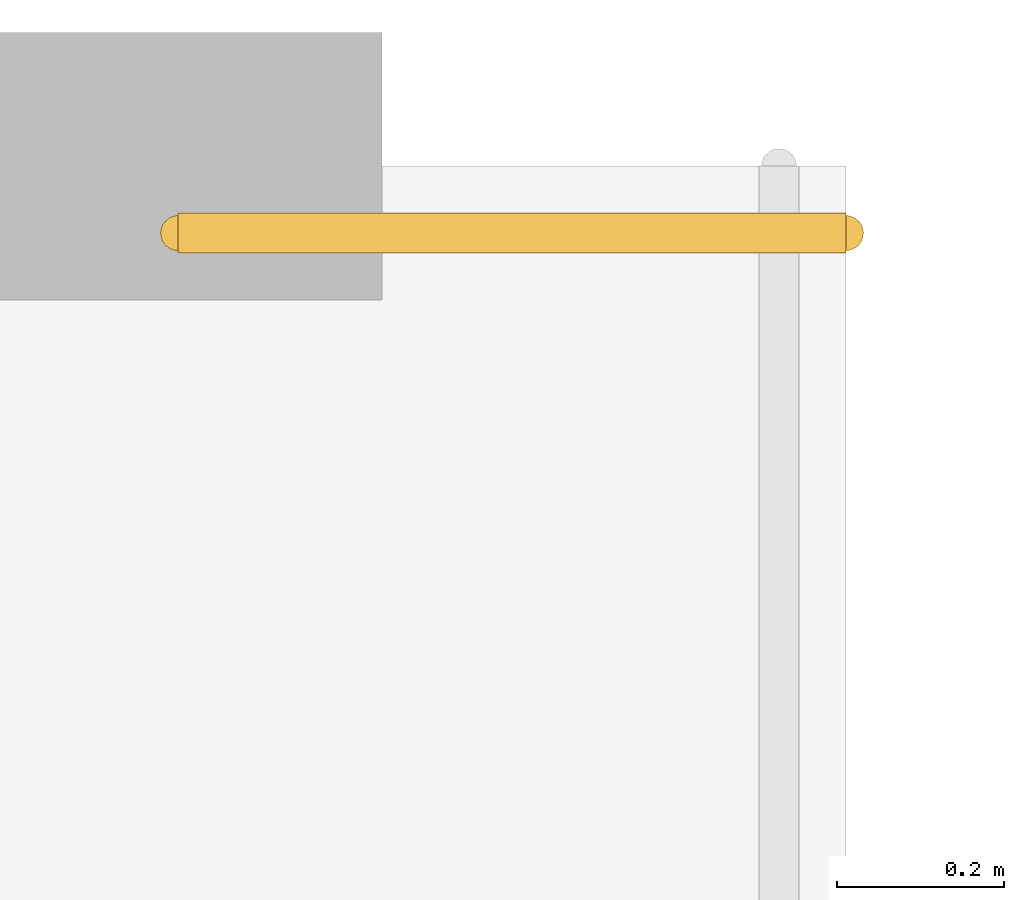
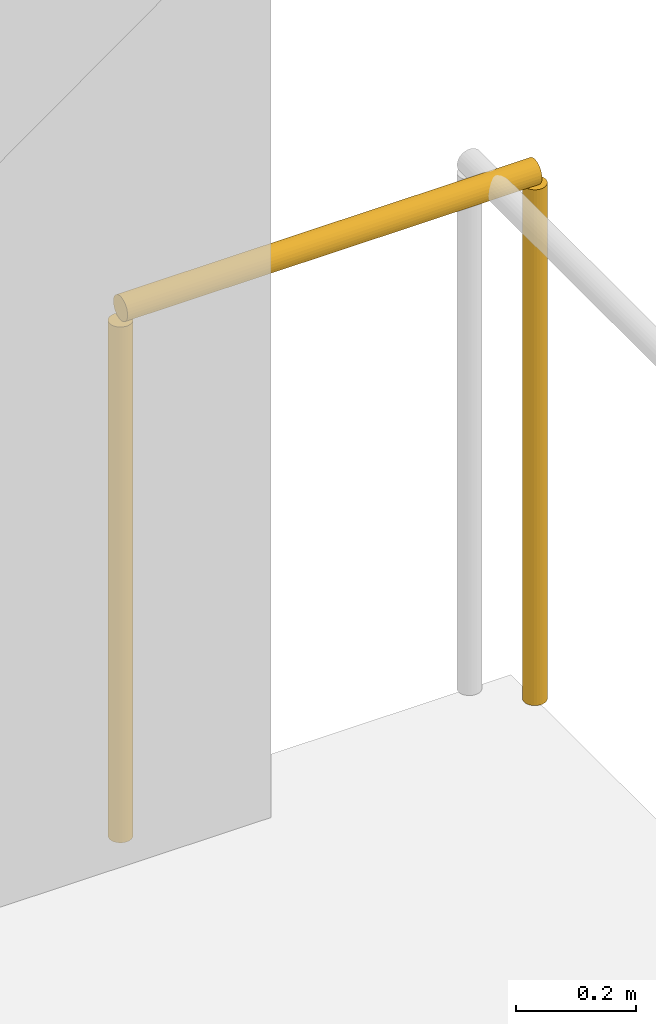
# One storey, part 74 of 74: 1 railing.
"""IFC4 building model written with IfcOpenShell, lengths in metres."""

import ifcopenshell
import ifcopenshell.guid

model = None  # the IFC model being written
_history = None  # IfcOwnerHistory: only IFC2X3 demands one
_inside = {}  # id of a spatial element -> (the spatial element, [elements in it])
_under = {}  # id of a project, library or spatial element -> (it, [spatial elements below it])
_declared = {}  # id of a project -> (the project, [libraries it declares])
_typed = {}  # id of a type object -> (the type object, [elements of that type])
_made_of = {}  # id of a material, layer set ... -> (it, [elements and type objects made of it])


def new_model(schema):
    """Start an empty IFC model of exactly this schema.

    Asked for "IFC4X3", IfcOpenShell would pick the latest addendum, in which some entities
    have other attributes; the version numbers below select the first issue.
    IFC2X3 requires an IfcOwnerHistory on every rooted entity: one is made here for all.
    """
    global model, _history
    if schema == "IFC4X3":
        model = ifcopenshell.file(schema_version=(4, 3, 0, 0))
    else:
        model = ifcopenshell.file(schema=schema)
    _inside.clear()
    _under.clear()
    _declared.clear()
    _typed.clear()
    _made_of.clear()
    _history = None
    if model.schema == "IFC2X3":
        org = make("IfcOrganization", Name="unknown")
        user = make(
            "IfcPersonAndOrganization",
            ThePerson=make("IfcPerson", FamilyName="unknown"),
            TheOrganization=org,
        )
        app = make(
            "IfcApplication",
            ApplicationDeveloper=org,
            Version="unknown",
            ApplicationFullName="unknown",
            ApplicationIdentifier="unknown",
        )
        _history = make(
            "IfcOwnerHistory",
            OwningUser=user,
            OwningApplication=app,
            ChangeAction="ADDED",
            CreationDate=0,
        )
    return model


def make(cls, **values):
    """One entity of the class cls with the attributes given. An attribute that is None is left unset."""
    return model.create_entity(
        cls, **{name: value for name, value in values.items() if value is not None}
    )


def rooted(cls, **values):
    """An entity with a GlobalId (a new one), such as an element, a storey or a relation."""
    return make(cls, GlobalId=ifcopenshell.guid.new(), OwnerHistory=_history, **values)


def si_unit(unit_type, name, prefix=None):
    """IfcSIUnit, for example si_unit("LENGTHUNIT", "METRE", prefix="MILLI")."""
    return make("IfcSIUnit", UnitType=unit_type, Prefix=prefix, Name=name)


def assignment(units):
    """IfcUnitAssignment: the units of a project."""
    return None if units is None else make("IfcUnitAssignment", Units=units)


def point(xyz):
    """IfcCartesianPoint."""
    return None if xyz is None else make("IfcCartesianPoint", Coordinates=xyz)


def direction(xyz):
    """IfcDirection."""
    return None if xyz is None else make("IfcDirection", DirectionRatios=xyz)


def frame(location, z_axis=None, x_axis=None):
    """IfcAxis2Placement3D, a coordinate frame: its origin and axes. An axis left out is left unset."""
    return make(
        "IfcAxis2Placement3D",
        Location=point(location),
        Axis=direction(z_axis),
        RefDirection=direction(x_axis),
    )


def frame_2d(location, x_axis=None):
    """IfcAxis2Placement2D, a coordinate frame in the plane: its origin and x axis."""
    return make(
        "IfcAxis2Placement2D", Location=point(location), RefDirection=direction(x_axis)
    )


def origin():
    """The frame at (0, 0, 0) with its axes left unset."""
    return frame((0.0, 0.0, 0.0))


def origin_2d():
    """The frame at (0, 0) in the plane with its x axis left unset."""
    return frame_2d((0.0, 0.0))


def place(relative_to, where):
    """IfcLocalPlacement: puts the frame where relative to a parent placement (None: the world)."""
    return make(
        "IfcLocalPlacement", PlacementRelTo=relative_to, RelativePlacement=where
    )


def context(
    kind, dimensions, precision=None, world=None, true_north=None, identifier=None
):
    """IfcGeometricRepresentationContext, for example the 3D "Model" context."""
    return make(
        "IfcGeometricRepresentationContext",
        ContextIdentifier=identifier,
        ContextType=kind,
        CoordinateSpaceDimension=dimensions,
        Precision=precision,
        WorldCoordinateSystem=world,
        TrueNorth=true_north,
    )


def subcontext(parent, identifier, kind, view, scale=None):
    """IfcGeometricRepresentationSubContext, for example "Body" below "Model"."""
    return make(
        "IfcGeometricRepresentationSubContext",
        ContextIdentifier=identifier,
        ContextType=kind,
        ParentContext=parent,
        TargetScale=scale,
        TargetView=view,
    )


def project(units=None, contexts=None):
    """IfcProject with its units and contexts."""
    return rooted(
        "IfcProject",
        Name="project",
        RepresentationContexts=contexts,
        UnitsInContext=assignment(units),
    )


def spatial(cls, under=None, at=None, **own):
    """A site, building, storey or space (cls), placed at a placement, below another one or the project."""
    s = rooted(cls, ObjectPlacement=at, **own)
    if under is not None:
        _under.setdefault(under.id(), (under, []))[1].append(s)
    return s


def profile(cls, at=None, kind="AREA", **sizes):
    """A parametric profile (cls). Its sizes go by their IFC names, for example OverallWidth=200.0."""
    return make(cls, ProfileType=kind, Position=at, **sizes)


def circle(**sizes):
    """IfcCircleProfileDef."""
    return profile("IfcCircleProfileDef", **sizes)


def extrude(swept, where, along, depth):
    """IfcExtrudedAreaSolid: the profile swept, set in the frame where, extruded along a direction by depth."""
    return make(
        "IfcExtrudedAreaSolid",
        SweptArea=swept,
        Position=where,
        ExtrudedDirection=direction(along),
        Depth=depth,
    )


def shape(context_of_items, identifier, shape_type, items):
    """IfcShapeRepresentation: the items that make up one representation, for example the "Body"."""
    return make(
        "IfcShapeRepresentation",
        ContextOfItems=context_of_items,
        RepresentationIdentifier=identifier,
        RepresentationType=shape_type,
        Items=items,
    )


def material(Name=None, Category=None):
    """IfcMaterial."""
    return make("IfcMaterial", Name=Name, Category=Category)


def made_of(thing, what):
    """Note that an element or type object is made of a material, layer set ...; save() writes the relation."""
    if what is not None:
        _made_of.setdefault(what.id(), (what, []))[1].append(thing)
    return thing


def type_object(cls, material=None, **own):
    """A type object (cls), such as IfcWallType, which elements share."""
    return made_of(rooted(cls, **own), material)


def element(
    cls,
    number,
    at=None,
    inside=None,
    cuts=None,
    type_object=None,
    material=None,
    context=None,
    identifier="Body",
    shape_type=None,
    held_by="IfcProductDefinitionShape",
    body=None,
    shapes=None,
    **own,
):
    """One element of the class cls, such as IfcWall. Its Tag is "e" and its number.

    at: its placement. inside: the storey or other place that contains it. cuts: it is an
    opening in that element (IfcRelVoidsElement). A single representation is given by context,
    identifier, shape_type and body (its items); several are given by shapes. held_by: the class
    of the entity that holds the representations. save() writes the other relations.
    """
    e = rooted(cls, Tag="e%d" % number, ObjectPlacement=at, **own)
    if body is not None:
        shapes = [shape(context, identifier, shape_type, body)]
    if shapes is not None:
        e.Representation = make(held_by, Representations=shapes)
    if inside is not None:
        _inside.setdefault(inside.id(), (inside, []))[1].append(e)
    if cuts is not None:
        rooted(
            "IfcRelVoidsElement", RelatingBuildingElement=cuts, RelatedOpeningElement=e
        )
    if type_object is not None:
        _typed.setdefault(type_object.id(), (type_object, []))[1].append(e)
    return made_of(e, material)


def aggregate(whole, parts):
    """IfcRelAggregates: a whole, such as a stair, and the parts it consists of."""
    return rooted("IfcRelAggregates", RelatingObject=whole, RelatedObjects=parts)


def save(model, path):
    """Write the relations noted so far, then the file.

    IfcRelAggregates (storeys below a building ...), IfcRelContainedInSpatialStructure (elements
    in a storey), IfcRelDefinesByType, IfcRelAssociatesMaterial and IfcRelDeclares: one each for
    every whole, place, type object, material and project.
    """
    for whole, parts in _under.values():
        aggregate(whole, parts)
    for where, things in _inside.values():
        rooted(
            "IfcRelContainedInSpatialStructure",
            RelatedElements=things,
            RelatingStructure=where,
        )
    for kind, things in _typed.values():
        rooted("IfcRelDefinesByType", RelatedObjects=things, RelatingType=kind)
    for what, things in _made_of.values():
        rooted("IfcRelAssociatesMaterial", RelatedObjects=things, RelatingMaterial=what)
    for by, libraries in _declared.values():
        rooted("IfcRelDeclares", RelatingContext=by, RelatedDefinitions=libraries)
    model.write(path)


model = new_model("IFC4")

# Units and contexts
model_context = context("Model", 3, precision=1e-05, world=origin(), true_north=direction((0.0, 1.0)))
body_context = subcontext(model_context, "Body", "Model", "MODEL_VIEW")
ifc_project = project(units=[si_unit("LENGTHUNIT", "METRE"), si_unit("AREAUNIT", "SQUARE_METRE"), si_unit("VOLUMEUNIT", "CUBIC_METRE"), si_unit("PLANEANGLEUNIT", "RADIAN"), si_unit("MASSUNIT", "GRAM", prefix="KILO")], contexts=[model_context])

# Site, building, storey
site_placement = place(None, origin())
site = spatial("IfcSite", under=ifc_project, at=site_placement, CompositionType="ELEMENT")
building_placement = place(site_placement, origin())
building = spatial("IfcBuilding", under=site, at=building_placement, Name="Koshinbarg Plaza Stadium", CompositionType="ELEMENT")
storey_placement = place(building_placement, frame((0.0, 0.0, 15.0)))
storey = spatial("IfcBuildingStorey", under=building, at=storey_placement, Name="L03", CompositionType="ELEMENT", Elevation=15.0)

# Railing
ifc_material = material(Name="Toughened laminated glass and stainless steel sightline balustrade", Category="steel")
railing_type = type_object("IfcRailingType", Name="RL-BOWL-1100", PredefinedType="BALUSTRADE", material=ifc_material)
railing_placement = place(storey_placement, frame((218.155517578125, 151.919921875, 0.0)))
element("IfcRailing", 1, at=railing_placement, inside=storey, type_object=railing_type, Name="L03 deck edge safety balustrade 0258", PredefinedType="BALUSTRADE", context=body_context, shape_type="SweptSolid", body=[
    extrude(circle(Radius=0.02392578125, at=origin_2d()), frame((0.0, 0.0, 1.076171875), z_axis=(1.0, 0.0, 0.0), x_axis=(0.0, 1.0, 0.0)), (0.0, 0.0, 1.0), 0.799560546875),
    extrude(circle(Radius=0.02099609375, at=origin_2d()), origin(), (0.0, 0.0, 1.0), 1.052001953125),
    extrude(circle(Radius=0.02099609375, at=origin_2d()), frame((0.799560546875, 0.0, 0.0)), (0.0, 0.0, 1.0), 1.052001953125),
])

save(model, "model.ifc")
